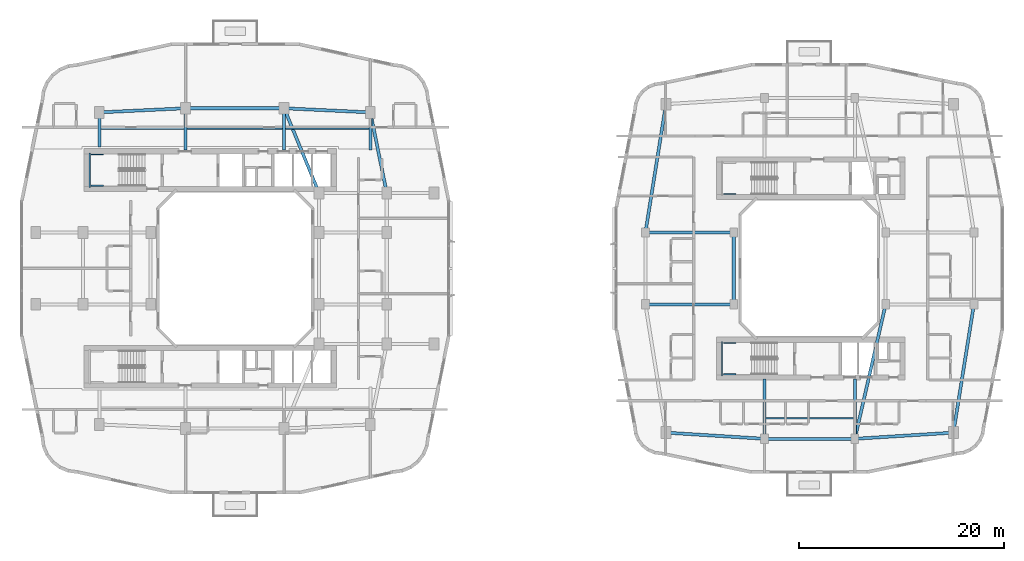
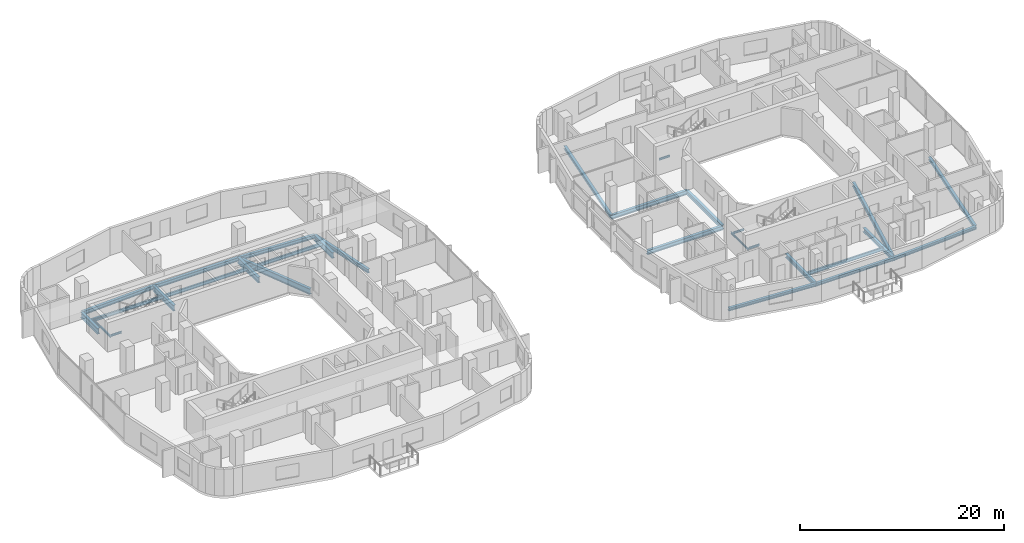
# One storey, part 5 of 22: 31 beams.
"""IFC4 building model written with IfcOpenShell, lengths in metres."""

from ifc_helpers import new_model, si_unit, derived_unit, direction, frame, origin, origin_2d, place, context, subcontext, project, spatial, i_section, extrude, material, material_profile, profile_set, type_object, element, save


model = new_model("IFC4")

# Units and contexts
model_context = context("Model", 3, precision=1e-05, world=origin(), true_north=direction((0.0, 1.0)))
body_context = subcontext(model_context, "Body", "Model", "MODEL_VIEW")
ifc_project = project(units=[si_unit("LENGTHUNIT", "METRE"), si_unit("AREAUNIT", "SQUARE_METRE"), si_unit("VOLUMEUNIT", "CUBIC_METRE"), si_unit("PLANEANGLEUNIT", "RADIAN"), si_unit("MASSUNIT", "GRAM", prefix="KILO"), derived_unit("THERMALTRANSMITTANCEUNIT", [(si_unit("POWERUNIT", "WATT"), 1), (si_unit("LENGTHUNIT", "METRE"), -2), (si_unit("THERMODYNAMICTEMPERATUREUNIT", "KELVIN"), -1)])], contexts=[model_context])

# Site, building, storey
site_placement = place(None, origin())
site = spatial("IfcSite", under=ifc_project, at=site_placement, CompositionType="ELEMENT")
building_placement = place(site_placement, origin())
building = spatial("IfcBuilding", under=site, at=building_placement, Name="Kivonza Crest Hotel", CompositionType="ELEMENT")
storey_placement = place(building_placement, frame((0.0, 0.0, 59.0)))
storey = spatial("IfcBuildingStorey", under=building, at=storey_placement, Name="L15", CompositionType="ELEMENT", Elevation=59.0)

# Beams
ifc_material = material(Name="Steel S355", Category="steel")
ifc_material_profile_1 = material_profile(ifc_material, i_section(OverallWidth=0.300048828125, OverallDepth=0.360107421875, WebThickness=0.012451171875, FlangeThickness=0.0224609375, FilletRadius=0.027099609375, at=origin_2d()), Name="HEB 360")
ifc_profile_set_1 = profile_set([ifc_material_profile_1], Name="Steel S355")
beam_type_1 = type_object("IfcBeamType", Name="BM-HEB360", PredefinedType="SPANDREL", material=ifc_profile_set_1)
beam_1_placement = place(storey_placement, frame((72.60009765625, 8.39990234375, -0.429931640625), z_axis=(1.0, 0.0, 0.0), x_axis=(0.0, 1.0, 0.0)))
element("IfcBeam", 1, at=beam_1_placement, inside=storey, type_object=beam_type_1, Name="Companion Tower T2 L15 perimeter spandrel S1-S2", PredefinedType="SPANDREL", context=body_context, shape_type="SweptSolid", body=[
    extrude(i_section(OverallWidth=0.300048828125, OverallDepth=0.360107421875, WebThickness=0.012451171875, FlangeThickness=0.0224609375, FilletRadius=0.027099609375, at=origin_2d()), origin(), (0.0, 0.0, 1.0), 8.7998046875),
])
beam_2_placement = place(storey_placement, frame((81.39990234375, 8.39990234375, -0.429931640625), z_axis=(0.998051985873, 0.062387767186, 0.0), x_axis=(-0.062387767186, 0.998051985873, 0.0)))
element("IfcBeam", 2, at=beam_2_placement, inside=storey, type_object=beam_type_1, Name="Companion Tower T2 L15 perimeter spandrel S2-SE", PredefinedType="SPANDREL", context=body_context, shape_type="SweptSolid", body=[
    extrude(i_section(OverallWidth=0.300048828125, OverallDepth=0.360107421875, WebThickness=0.012451171875, FlangeThickness=0.0224609375, FilletRadius=0.027099609375, at=origin_2d()), origin(), (0.0, 0.0, 1.0), 9.618896484375),
])
for number, where, z_axis, x_axis, name in (
    (3, (91.0, 9.0, -0.429931640625), (0.157990501107, 0.987440631917, 0.0), (-0.987440631917, 0.157990501107, 0.0), "Companion Tower T2 L15 perimeter spandrel SE-E1"),
    (4, (63.0, 41.0, -0.429931640625), (-0.157990501107, -0.987440631917, 0.0), (0.987440631917, -0.157990501107, 0.0), "Companion Tower T2 L15 perimeter spandrel NW-W2"),
):
    element("IfcBeam", number, at=place(storey_placement, frame(where, z_axis=z_axis, x_axis=x_axis)), inside=storey, type_object=beam_type_1, Name=name, PredefinedType="SPANDREL", context=body_context, shape_type="SweptSolid", body=[
        extrude(i_section(OverallWidth=0.300048828125, OverallDepth=0.360107421875, WebThickness=0.012451171875, FlangeThickness=0.0224609375, FilletRadius=0.027099609375, at=origin_2d()), origin(), (0.0, 0.0, 1.0), 12.658935546875),
    ])
beam_3_placement = place(storey_placement, frame((63.0, 9.0, -0.429931640625), z_axis=(0.998051985873, -0.062387767186, 0.0), x_axis=(0.062387767186, 0.998051985873, 0.0)))
element("IfcBeam", 5, at=beam_3_placement, inside=storey, type_object=beam_type_1, Name="Companion Tower T2 L15 perimeter spandrel SW-S1", PredefinedType="SPANDREL", context=body_context, shape_type="SweptSolid", body=[
    extrude(i_section(OverallWidth=0.300048828125, OverallDepth=0.360107421875, WebThickness=0.012451171875, FlangeThickness=0.0224609375, FilletRadius=0.027099609375, at=origin_2d()), origin(), (0.0, 0.0, 1.0), 9.618896484375),
])
ifc_material_profile_2 = material_profile(ifc_material, i_section(OverallWidth=0.300048828125, OverallDepth=0.449951171875, WebThickness=0.013916015625, FlangeThickness=0.02587890625, FilletRadius=0.027099609375, at=origin_2d()), Name="HEB 450")
ifc_profile_set_2 = profile_set([ifc_material_profile_2], Name="Steel S355")
beam_type_2 = type_object("IfcBeamType", Name="BM-HEB450", PredefinedType="SPANDREL", material=ifc_profile_set_2)
beam_4_placement = place(storey_placement, frame((35.800048828125, 32.35009765625, -0.5048828125), z_axis=(-0.199730733965, 0.979850822273, 0.0), x_axis=(-0.979850822273, -0.199730733965, 0.0)))
element("IfcBeam", 6, at=beam_4_placement, inside=storey, type_object=beam_type_2, Name="Tower T1 L15 perimeter spandrel PNE-NE", PredefinedType="SPANDREL", context=body_context, shape_type="SweptSolid", body=[
    extrude(i_section(OverallWidth=0.300048828125, OverallDepth=0.449951171875, WebThickness=0.013916015625, FlangeThickness=0.02587890625, FilletRadius=0.027099609375, at=origin_2d()), origin(), (0.0, 0.0, 1.0), 8.01123046875),
])
beam_5_placement = place(storey_placement, frame((34.199951171875, 40.199951171875, -0.5048828125), z_axis=(-0.998867283688, 0.047583080799, 0.0), x_axis=(-0.047583080799, -0.998867283688, 0.0)))
element("IfcBeam", 7, at=beam_5_placement, inside=storey, type_object=beam_type_2, Name="Tower T1 L15 perimeter spandrel NE-N2", PredefinedType="SPANDREL", context=body_context, shape_type="SweptSolid", body=[
    extrude(i_section(OverallWidth=0.300048828125, OverallDepth=0.449951171875, WebThickness=0.013916015625, FlangeThickness=0.02587890625, FilletRadius=0.027099609375, at=origin_2d()), origin(), (0.0, 0.0, 1.0), 8.409423828125),
])
beam_6_placement = place(storey_placement, frame((25.800048828125, 40.60009765625, -0.5048828125), z_axis=(-1.0, 0.0, 0.0), x_axis=(0.0, -1.0, 0.0)))
element("IfcBeam", 8, at=beam_6_placement, inside=storey, type_object=beam_type_2, Name="Tower T1 L15 perimeter spandrel N2-N1", PredefinedType="SPANDREL", context=body_context, shape_type="SweptSolid", body=[
    extrude(i_section(OverallWidth=0.300048828125, OverallDepth=0.449951171875, WebThickness=0.013916015625, FlangeThickness=0.02587890625, FilletRadius=0.027099609375, at=origin_2d()), origin(), (0.0, 0.0, 1.0), 9.60009765625),
])
beam_7_placement = place(storey_placement, frame((16.199951171875, 40.60009765625, -0.5048828125), z_axis=(-0.998867283688, -0.047583080799, 0.0), x_axis=(0.047583080799, -0.998867283688, 0.0)))
element("IfcBeam", 9, at=beam_7_placement, inside=storey, type_object=beam_type_2, Name="Tower T1 L15 perimeter spandrel N1-NW", PredefinedType="SPANDREL", context=body_context, shape_type="SweptSolid", body=[
    extrude(i_section(OverallWidth=0.300048828125, OverallDepth=0.449951171875, WebThickness=0.013916015625, FlangeThickness=0.02587890625, FilletRadius=0.027099609375, at=origin_2d()), origin(), (0.0, 0.0, 1.0), 8.409423828125),
])
ifc_material_profile_3 = material_profile(ifc_material, i_section(OverallWidth=0.300048828125, OverallDepth=0.5, WebThickness=0.014404296875, FlangeThickness=0.028076171875, FilletRadius=0.027099609375, at=origin_2d()), Name="HEB 500")
ifc_profile_set_3 = profile_set([ifc_material_profile_3], Name="Steel S355")
beam_type_3 = type_object("IfcBeamType", Name="BM-HEB500", PredefinedType="BEAM", material=ifc_profile_set_3)
for number, where, z_axis, x_axis, name in (
    (10, (61.0, 21.5, -0.5), (1.0, 0.0, 0.0), (0.0, 1.0, 0.0), "Companion Tower T2 L15 girder W1-WL1"),
    (11, (61.0, 28.5, -0.5), (1.0, 0.0, 0.0), (0.0, 1.0, 0.0), "Companion Tower T2 L15 girder W2-WL2"),
):
    element("IfcBeam", number, at=place(storey_placement, frame(where, z_axis=z_axis, x_axis=x_axis)), inside=storey, type_object=beam_type_3, Name=name, PredefinedType="BEAM", context=body_context, shape_type="SweptSolid", body=[
        extrude(i_section(OverallWidth=0.300048828125, OverallDepth=0.5, WebThickness=0.014404296875, FlangeThickness=0.028076171875, FilletRadius=0.027099609375, at=origin_2d()), origin(), (0.0, 0.0, 1.0), 8.60009765625),
    ])
beam_8_placement = place(storey_placement, frame((69.60009765625, 21.5, -0.5), z_axis=(0.0, 1.0, 0.0), x_axis=(-1.0, 0.0, 0.0)))
element("IfcBeam", 12, at=beam_8_placement, inside=storey, type_object=beam_type_3, Name="Companion Tower T2 L15 girder WL1-WL2", PredefinedType="BEAM", context=body_context, shape_type="SweptSolid", body=[
    extrude(i_section(OverallWidth=0.300048828125, OverallDepth=0.5, WebThickness=0.014404296875, FlangeThickness=0.028076171875, FilletRadius=0.027099609375, at=origin_2d()), origin(), (0.0, 0.0, 1.0), 7.0),
])
beam_9_placement = place(storey_placement, frame((84.39990234375, 21.5, -0.5), z_axis=(-0.223227287589, -0.974766422317, 0.0), x_axis=(0.974766422317, -0.223227287589, 0.0)))
element("IfcBeam", 13, at=beam_9_placement, inside=storey, type_object=beam_type_3, Name="Companion Tower T2 L15 girder WR1-S2", PredefinedType="BEAM", context=body_context, shape_type="SweptSolid", body=[
    extrude(i_section(OverallWidth=0.300048828125, OverallDepth=0.5, WebThickness=0.014404296875, FlangeThickness=0.028076171875, FilletRadius=0.027099609375, at=origin_2d()), origin(), (0.0, 0.0, 1.0), 13.439208984375),
])
for number, where, z_axis, x_axis, name in (
    (14, (72.60009765625, 8.39990234375, -0.5), (0.0, 1.0, 0.0), (-1.0, 0.0, 0.0), "Companion T2 L15 radial core girder RS1"),
    (15, (81.39990234375, 8.39990234375, -0.5), (0.0, 1.0, 0.0), (-1.0, 0.0, 0.0), "Companion T2 L15 radial core girder RS2"),
):
    element("IfcBeam", number, at=place(storey_placement, frame(where, z_axis=z_axis, x_axis=x_axis)), inside=storey, type_object=beam_type_3, Name=name, PredefinedType="BEAM", context=body_context, shape_type="SweptSolid", body=[
        extrude(i_section(OverallWidth=0.300048828125, OverallDepth=0.5, WebThickness=0.014404296875, FlangeThickness=0.028076171875, FilletRadius=0.027099609375, at=origin_2d()), origin(), (0.0, 0.0, 1.0), 5.85009765625),
    ])
ifc_material_profile_4 = material_profile(ifc_material, i_section(OverallWidth=0.300048828125, OverallDepth=0.699951171875, WebThickness=0.01708984375, FlangeThickness=0.031982421875, FilletRadius=0.027099609375, at=origin_2d()), Name="HEB 700")
ifc_profile_set_4 = profile_set([ifc_material_profile_4], Name="Steel S355")
beam_type_4 = type_object("IfcBeamType", Name="BM-HEB700", PredefinedType="BEAM", material=ifc_profile_set_4)
beam_10_placement = place(storey_placement, frame((25.800048828125, 40.60009765625, -0.6298828125), z_axis=(0.381022260404, -0.924565864109, 0.0), x_axis=(0.924565864109, 0.381022260404, 0.0)))
element("IfcBeam", 16, at=beam_10_placement, inside=storey, type_object=beam_type_4, Name="Tower T1 L15 primary girder N1-TNE", PredefinedType="BEAM", context=body_context, shape_type="SweptSolid", body=[
    extrude(i_section(OverallWidth=0.300048828125, OverallDepth=0.699951171875, WebThickness=0.01708984375, FlangeThickness=0.031982421875, FilletRadius=0.027099609375, at=origin_2d()), origin(), (0.0, 0.0, 1.0), 8.923095703125),
])
beam_11_placement = place(storey_placement, frame((7.800048828125, 40.199951171875, -0.6298828125), z_axis=(0.0, -1.0, 0.0), x_axis=(1.0, 0.0, 0.0)))
element("IfcBeam", 17, at=beam_11_placement, inside=storey, type_object=beam_type_4, Name="Tower T1 L15 radial core girder RNW", PredefinedType="BEAM", context=body_context, shape_type="SweptSolid", body=[
    extrude(i_section(OverallWidth=0.300048828125, OverallDepth=0.699951171875, WebThickness=0.01708984375, FlangeThickness=0.031982421875, FilletRadius=0.027099609375, at=origin_2d()), origin(), (0.0, 0.0, 1.0), 3.349853515625),
])
for number, where, z_axis, x_axis, name in (
    (18, (16.199951171875, 40.60009765625, -0.6298828125), (0.0, -1.0, 0.0), (1.0, 0.0, 0.0), "Tower T1 L15 radial core girder RN1"),
    (19, (25.800048828125, 40.60009765625, -0.6298828125), (0.0, -1.0, 0.0), (1.0, 0.0, 0.0), "Tower T1 L15 radial core girder RN2"),
):
    element("IfcBeam", number, at=place(storey_placement, frame(where, z_axis=z_axis, x_axis=x_axis)), inside=storey, type_object=beam_type_4, Name=name, PredefinedType="BEAM", context=body_context, shape_type="SweptSolid", body=[
        extrude(i_section(OverallWidth=0.300048828125, OverallDepth=0.699951171875, WebThickness=0.01708984375, FlangeThickness=0.031982421875, FilletRadius=0.027099609375, at=origin_2d()), origin(), (0.0, 0.0, 1.0), 4.050048828125),
    ])
beam_12_placement = place(storey_placement, frame((34.199951171875, 40.199951171875, -0.6298828125), z_axis=(0.0, -1.0, 0.0), x_axis=(1.0, 0.0, 0.0)))
element("IfcBeam", 20, at=beam_12_placement, inside=storey, type_object=beam_type_4, Name="Tower T1 L15 radial core girder RNE", PredefinedType="BEAM", context=body_context, shape_type="SweptSolid", body=[
    extrude(i_section(OverallWidth=0.300048828125, OverallDepth=0.699951171875, WebThickness=0.01708984375, FlangeThickness=0.031982421875, FilletRadius=0.027099609375, at=origin_2d()), origin(), (0.0, 0.0, 1.0), 3.64990234375),
])
ifc_material_profile_5 = material_profile(ifc_material, i_section(OverallWidth=0.179931640625, OverallDepth=0.39990234375, WebThickness=0.008544921875, FlangeThickness=0.013427734375, FilletRadius=0.02099609375, at=origin_2d()), Name="IPE 400")
ifc_profile_set_5 = profile_set([ifc_material_profile_5], Name="Steel S355")
beam_type_5 = type_object("IfcBeamType", Name="BM-IPE400", PredefinedType="JOIST", material=ifc_profile_set_5)
beam_13_placement = place(storey_placement, frame((7.8798828125, 38.60009765625, -0.47998046875), z_axis=(1.0, 0.0, 0.0), x_axis=(0.0, 1.0, 0.0)))
element("IfcBeam", 21, at=beam_13_placement, inside=storey, type_object=beam_type_5, Name="Tower T1 L15 North-West floor joist", PredefinedType="JOIST", context=body_context, shape_type="SweptSolid", body=[
    extrude(i_section(OverallWidth=0.179931640625, OverallDepth=0.39990234375, WebThickness=0.008544921875, FlangeThickness=0.013427734375, FilletRadius=0.02099609375, at=origin_2d()), origin(), (0.0, 0.0, 1.0), 8.240234375),
])
beam_14_placement = place(storey_placement, frame((16.280029296875, 38.60009765625, -0.47998046875), z_axis=(1.0, 0.0, 0.0), x_axis=(0.0, 1.0, 0.0)))
element("IfcBeam", 22, at=beam_14_placement, inside=storey, type_object=beam_type_5, Name="Tower T1 L15 North-Mid floor joist", PredefinedType="JOIST", context=body_context, shape_type="SweptSolid", body=[
    extrude(i_section(OverallWidth=0.179931640625, OverallDepth=0.39990234375, WebThickness=0.008544921875, FlangeThickness=0.013427734375, FilletRadius=0.02099609375, at=origin_2d()), origin(), (0.0, 0.0, 1.0), 9.43994140625),
])
beam_15_placement = place(storey_placement, frame((25.8798828125, 38.60009765625, -0.47998046875), z_axis=(1.0, 0.0, 0.0), x_axis=(0.0, 1.0, 0.0)))
element("IfcBeam", 23, at=beam_15_placement, inside=storey, type_object=beam_type_5, Name="Tower T1 L15 North-East floor joist", PredefinedType="JOIST", context=body_context, shape_type="SweptSolid", body=[
    extrude(i_section(OverallWidth=0.179931640625, OverallDepth=0.39990234375, WebThickness=0.008544921875, FlangeThickness=0.013427734375, FilletRadius=0.02099609375, at=origin_2d()), origin(), (0.0, 0.0, 1.0), 8.240234375),
])
beam_16_placement = place(storey_placement, frame((72.679931640625, 10.39990234375, -0.449951171875), z_axis=(1.0, 0.0, 0.0), x_axis=(0.0, 1.0, 0.0)))
element("IfcBeam", 24, at=beam_16_placement, inside=storey, type_object=beam_type_5, Name="Companion Tower T2 L15 South floor joist", PredefinedType="JOIST", context=body_context, shape_type="SweptSolid", body=[
    extrude(i_section(OverallWidth=0.179931640625, OverallDepth=0.39990234375, WebThickness=0.008544921875, FlangeThickness=0.013427734375, FilletRadius=0.02099609375, at=origin_2d()), origin(), (0.0, 0.0, 1.0), 8.64013671875),
])
ifc_material_profile_6 = material_profile(ifc_material, i_section(OverallWidth=0.1201171875, OverallDepth=0.239990234375, WebThickness=0.006103515625, FlangeThickness=0.009765625, FilletRadius=0.014892578125, at=origin_2d()), Name="IPE 240")
ifc_profile_set_6 = profile_set([ifc_material_profile_6], Name="Steel S355")
beam_type_6 = type_object("IfcBeamType", Name="BM-LLDG-240", PredefinedType="BEAM", material=ifc_profile_set_6)
beam_17_placement = place(storey_placement, frame((6.860107421875, 32.89990234375, 1.429931640625), z_axis=(0.0, 1.0, 0.0), x_axis=(-1.0, 0.0, 0.0)))
element("IfcBeam", 25, at=beam_17_placement, inside=storey, type_object=beam_type_6, Name="Stair ST-T1-N L15 West landing corbel", PredefinedType="BEAM", context=body_context, shape_type="SweptSolid", body=[
    extrude(i_section(OverallWidth=0.1201171875, OverallDepth=0.239990234375, WebThickness=0.006103515625, FlangeThickness=0.009765625, FilletRadius=0.014892578125, at=origin_2d()), origin(), (0.0, 0.0, 1.0), 3.360107421875),
])
for number, where, z_axis, x_axis, name in (
    (26, (6.989990234375, 33.06005859375, 1.429931640625), (1.0, 0.0, 0.0), (0.0, 1.0, 0.0), "Stair ST-T1-N L15 South landing corbel"),
    (27, (6.989990234375, 36.10009765625, 1.429931640625), (1.0, 0.0, 0.0), (0.0, 1.0, 0.0), "Stair ST-T1-N L15 North landing corbel"),
    (28, (68.590087890625, 32.260009765625, 1.429931640625), (1.0, 0.0, 0.0), (0.0, 1.0, 0.0), "Stair ST-T2-N L15 South landing corbel"),
):
    element("IfcBeam", number, at=place(storey_placement, frame(where, z_axis=z_axis, x_axis=x_axis)), inside=storey, type_object=beam_type_6, Name=name, PredefinedType="BEAM", context=body_context, shape_type="SweptSolid", body=[
        extrude(i_section(OverallWidth=0.1201171875, OverallDepth=0.239990234375, WebThickness=0.006103515625, FlangeThickness=0.009765625, FilletRadius=0.014892578125, at=origin_2d()), origin(), (0.0, 0.0, 1.0), 1.2099609375),
    ])
beam_18_placement = place(storey_placement, frame((68.4599609375, 14.5400390625, 1.429931640625), z_axis=(0.0, 1.0, 0.0), x_axis=(-1.0, 0.0, 0.0)))
element("IfcBeam", 29, at=beam_18_placement, inside=storey, type_object=beam_type_6, Name="Stair ST-T2-S L15 West landing corbel", PredefinedType="BEAM", context=body_context, shape_type="SweptSolid", body=[
    extrude(i_section(OverallWidth=0.1201171875, OverallDepth=0.239990234375, WebThickness=0.006103515625, FlangeThickness=0.009765625, FilletRadius=0.014892578125, at=origin_2d()), origin(), (0.0, 0.0, 1.0), 3.35986328125),
])
for number, where, z_axis, x_axis, name in (
    (30, (68.590087890625, 14.699951171875, 1.429931640625), (1.0, 0.0, 0.0), (0.0, 1.0, 0.0), "Stair ST-T2-S L15 South landing corbel"),
    (31, (68.590087890625, 17.739990234375, 1.429931640625), (1.0, 0.0, 0.0), (0.0, 1.0, 0.0), "Stair ST-T2-S L15 North landing corbel"),
):
    element("IfcBeam", number, at=place(storey_placement, frame(where, z_axis=z_axis, x_axis=x_axis)), inside=storey, type_object=beam_type_6, Name=name, PredefinedType="BEAM", context=body_context, shape_type="SweptSolid", body=[
        extrude(i_section(OverallWidth=0.1201171875, OverallDepth=0.239990234375, WebThickness=0.006103515625, FlangeThickness=0.009765625, FilletRadius=0.014892578125, at=origin_2d()), origin(), (0.0, 0.0, 1.0), 1.2099609375),
    ])

save(model, "model.ifc")
